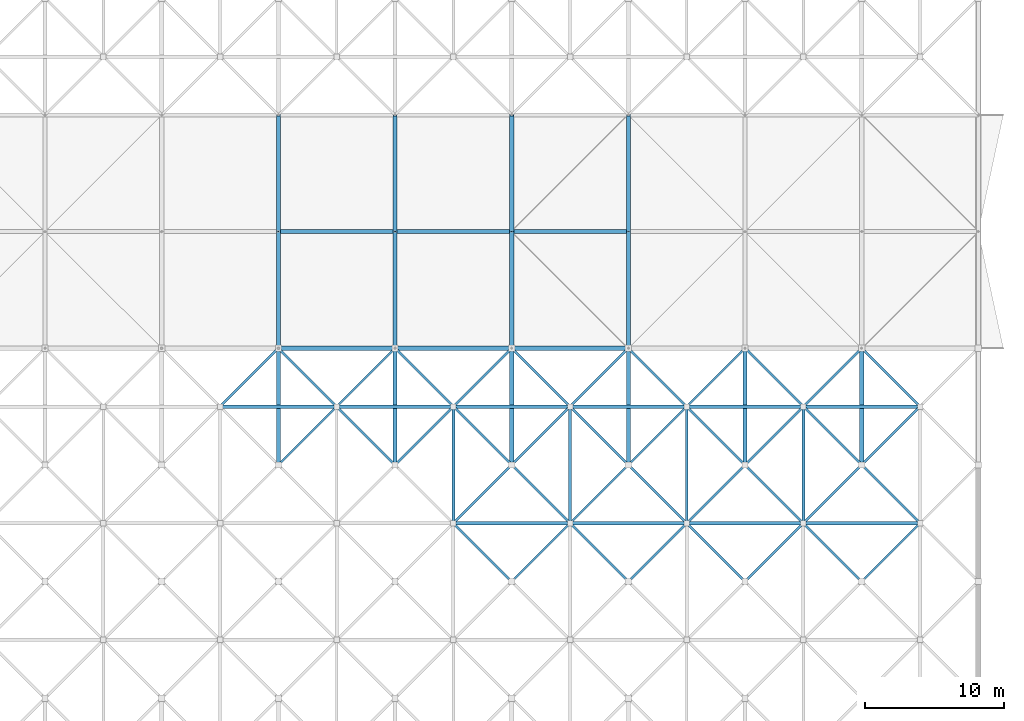
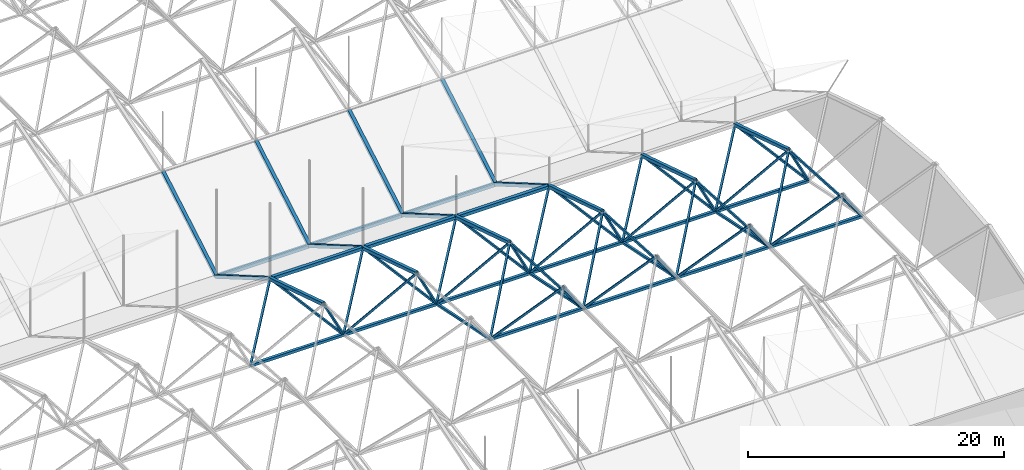
# One storey, part 13 of 111: 73 members.
"""IFC4 building model written with IfcOpenShell, lengths in metres."""

from ifc_helpers import new_model, si_unit, direction, frame, origin, origin_2d, place, context, subcontext, project, spatial, hollow_rectangle, extrude, material, material_profile, profile_set, type_object, element, save


model = new_model("IFC4")

# Units and contexts
model_context = context("Model", 3, precision=1e-05, world=origin(), true_north=direction((0.0, 1.0)))
body_context = subcontext(model_context, "Body", "Model", "MODEL_VIEW")
ifc_project = project(units=[si_unit("LENGTHUNIT", "METRE"), si_unit("AREAUNIT", "SQUARE_METRE"), si_unit("VOLUMEUNIT", "CUBIC_METRE"), si_unit("PLANEANGLEUNIT", "RADIAN"), si_unit("MASSUNIT", "GRAM", prefix="KILO")], contexts=[model_context])

# Site, building, storey
site_placement = place(None, origin())
site = spatial("IfcSite", under=ifc_project, at=site_placement, CompositionType="ELEMENT")
building_placement = place(site_placement, origin())
building = spatial("IfcBuilding", under=site, at=building_placement, Name="Rain Tree Exposition and Congress Centre", CompositionType="ELEMENT")
storey_placement = place(building_placement, frame((0.0, 0.0, 19.5)))
storey = spatial("IfcBuildingStorey", under=building, at=storey_placement, Name="RF", CompositionType="ELEMENT", Elevation=19.5)

# Members
ifc_material_1 = material(Name="Steel S355J2H", Category="steel")
ifc_material_profile_1 = material_profile(ifc_material_1, hollow_rectangle(XDim=0.175048828125, YDim=0.175048828125, WallThickness=0.006103515625, at=origin_2d()), Name="RHS 175x175x6")
ifc_profile_set_1 = profile_set([ifc_material_profile_1], Name="Steel S355J2H")
member_type_1 = type_object("IfcMemberType", Name="Steel brace member RHS 175x175x6", PredefinedType="BRACE", material=ifc_profile_set_1)
member_1_placement = place(storey_placement, frame((205.800048828125, 130.199951171875, 2.68896484375), z_axis=(0.494916318018, -0.494916318018, 0.714223827885), x_axis=(0.707106781187, 0.707106781187, 0.0)))
element("IfcMember", 1, at=member_1_placement, inside=storey, type_object=member_type_1, Name="Diagonal 569", PredefinedType="BRACE", context=body_context, shape_type="SweptSolid", body=[
    extrude(hollow_rectangle(XDim=0.175048828125, YDim=0.175048828125, WallThickness=0.006103515625, at=origin_2d()), origin(), (0.0, 0.0, 1.0), 8.486083984375),
])
member_2_placement = place(storey_placement, frame((205.800048828125, 130.199951171875, 2.68896484375), z_axis=(0.531497919506, 0.531497919506, 0.65956040142), x_axis=(-0.707106781187, 0.707106781187, 0.0)))
element("IfcMember", 2, at=member_2_placement, inside=storey, type_object=member_type_1, Name="Diagonal 571", PredefinedType="BRACE", context=body_context, shape_type="SweptSolid", body=[
    extrude(hollow_rectangle(XDim=0.175048828125, YDim=0.175048828125, WallThickness=0.006103515625, at=origin_2d()), origin(), (0.0, 0.0, 1.0), 7.902099609375),
])
for number, where, z_axis, x_axis, name in (
    (3, (214.199951171875, 130.199951171875, 2.68896484375), (-0.494916318018, -0.494916318018, 0.714223827885), (0.707106781187, -0.707106781187, 0.0), "Diagonal 574"),
    (4, (214.199951171875, 130.199951171875, 2.68896484375), (0.494916318018, -0.494916318018, 0.714223827885), (0.707106781187, 0.707106781187, 0.0), "Diagonal 575"),
):
    element("IfcMember", number, at=place(storey_placement, frame(where, z_axis=z_axis, x_axis=x_axis)), inside=storey, type_object=member_type_1, Name=name, PredefinedType="BRACE", context=body_context, shape_type="SweptSolid", body=[
        extrude(hollow_rectangle(XDim=0.175048828125, YDim=0.175048828125, WallThickness=0.006103515625, at=origin_2d()), origin(), (0.0, 0.0, 1.0), 8.486083984375),
    ])
for number, where, z_axis, x_axis, name in (
    (5, (214.199951171875, 130.199951171875, 2.68896484375), (-0.531497919506, 0.531497919506, 0.65956040142), (-0.707106781187, -0.707106781187, 0.0), "Diagonal 576"),
    (6, (214.199951171875, 130.199951171875, 2.68896484375), (0.531497919506, 0.531497919506, 0.65956040142), (-0.707106781187, 0.707106781187, 0.0), "Diagonal 577"),
):
    element("IfcMember", number, at=place(storey_placement, frame(where, z_axis=z_axis, x_axis=x_axis)), inside=storey, type_object=member_type_1, Name=name, PredefinedType="BRACE", context=body_context, shape_type="SweptSolid", body=[
        extrude(hollow_rectangle(XDim=0.175048828125, YDim=0.175048828125, WallThickness=0.006103515625, at=origin_2d()), origin(), (0.0, 0.0, 1.0), 7.902099609375),
    ])
member_3_placement = place(storey_placement, frame((222.60009765625, 130.199951171875, 2.68896484375), z_axis=(-0.494938039954, -0.494909271177, 0.714213658445), x_axis=(0.70708622964, -0.707127332136, 0.0)))
element("IfcMember", 7, at=member_3_placement, inside=storey, type_object=member_type_1, Name="Diagonal 580", PredefinedType="BRACE", context=body_context, shape_type="SweptSolid", body=[
    extrude(hollow_rectangle(XDim=0.175048828125, YDim=0.175048828125, WallThickness=0.006103515625, at=origin_2d()), origin(), (0.0, 0.0, 1.0), 8.486328125),
])
member_4_placement = place(storey_placement, frame((222.60009765625, 130.199951171875, 2.68896484375), z_axis=(0.494916318018, -0.494916318018, 0.714223827885), x_axis=(0.707106781187, 0.707106781187, 0.0)))
element("IfcMember", 8, at=member_4_placement, inside=storey, type_object=member_type_1, Name="Diagonal 581", PredefinedType="BRACE", context=body_context, shape_type="SweptSolid", body=[
    extrude(hollow_rectangle(XDim=0.175048828125, YDim=0.175048828125, WallThickness=0.006103515625, at=origin_2d()), origin(), (0.0, 0.0, 1.0), 8.486083984375),
])
member_5_placement = place(storey_placement, frame((222.60009765625, 130.199951171875, 2.68896484375), z_axis=(-0.531520086899, 0.531489191753, 0.659549570747), x_axis=(-0.70708622964, -0.707127332136, 0.0)))
element("IfcMember", 9, at=member_5_placement, inside=storey, type_object=member_type_1, Name="Diagonal 582", PredefinedType="BRACE", context=body_context, shape_type="SweptSolid", body=[
    extrude(hollow_rectangle(XDim=0.175048828125, YDim=0.175048828125, WallThickness=0.006103515625, at=origin_2d()), origin(), (0.0, 0.0, 1.0), 7.90234375),
])
member_6_placement = place(storey_placement, frame((222.60009765625, 130.199951171875, 2.68896484375), z_axis=(0.531497919506, 0.531497919506, 0.65956040142), x_axis=(-0.707106781187, 0.707106781187, 0.0)))
element("IfcMember", 10, at=member_6_placement, inside=storey, type_object=member_type_1, Name="Diagonal 583", PredefinedType="BRACE", context=body_context, shape_type="SweptSolid", body=[
    extrude(hollow_rectangle(XDim=0.175048828125, YDim=0.175048828125, WallThickness=0.006103515625, at=origin_2d()), origin(), (0.0, 0.0, 1.0), 7.902099609375),
])
for number, where, z_axis, x_axis, name in (
    (11, (231.0, 130.199951171875, 2.68896484375), (-0.494916318018, -0.494916318018, 0.714223827885), (0.707106781187, -0.707106781187, 0.0), "Diagonal 586"),
    (12, (231.0, 130.199951171875, 2.68896484375), (0.494916318018, -0.494916318018, 0.714223827885), (0.707106781187, 0.707106781187, 0.0), "Diagonal 587"),
):
    element("IfcMember", number, at=place(storey_placement, frame(where, z_axis=z_axis, x_axis=x_axis)), inside=storey, type_object=member_type_1, Name=name, PredefinedType="BRACE", context=body_context, shape_type="SweptSolid", body=[
        extrude(hollow_rectangle(XDim=0.175048828125, YDim=0.175048828125, WallThickness=0.006103515625, at=origin_2d()), origin(), (0.0, 0.0, 1.0), 8.486083984375),
    ])
for number, where, z_axis, x_axis, name in (
    (13, (231.0, 130.199951171875, 2.68896484375), (-0.531497919506, 0.531497919506, 0.65956040142), (-0.707106781187, -0.707106781187, 0.0), "Diagonal 588"),
    (14, (231.0, 130.199951171875, 2.68896484375), (0.531497919506, 0.531497919506, 0.65956040142), (-0.707106781187, 0.707106781187, 0.0), "Diagonal 589"),
):
    element("IfcMember", number, at=place(storey_placement, frame(where, z_axis=z_axis, x_axis=x_axis)), inside=storey, type_object=member_type_1, Name=name, PredefinedType="BRACE", context=body_context, shape_type="SweptSolid", body=[
        extrude(hollow_rectangle(XDim=0.175048828125, YDim=0.175048828125, WallThickness=0.006103515625, at=origin_2d()), origin(), (0.0, 0.0, 1.0), 7.902099609375),
    ])
member_7_placement = place(storey_placement, frame((239.39990234375, 130.199951171875, 2.68896484375), z_axis=(-0.494916318018, -0.494916318018, 0.714223827885), x_axis=(0.707106781187, -0.707106781187, 0.0)))
element("IfcMember", 15, at=member_7_placement, inside=storey, type_object=member_type_1, Name="Diagonal 592", PredefinedType="BRACE", context=body_context, shape_type="SweptSolid", body=[
    extrude(hollow_rectangle(XDim=0.175048828125, YDim=0.175048828125, WallThickness=0.006103515625, at=origin_2d()), origin(), (0.0, 0.0, 1.0), 8.486083984375),
])
member_8_placement = place(storey_placement, frame((239.39990234375, 130.199951171875, 2.68896484375), z_axis=(-0.531497919506, 0.531497919506, 0.65956040142), x_axis=(-0.707106781187, -0.707106781187, 0.0)))
element("IfcMember", 16, at=member_8_placement, inside=storey, type_object=member_type_1, Name="Diagonal 594", PredefinedType="BRACE", context=body_context, shape_type="SweptSolid", body=[
    extrude(hollow_rectangle(XDim=0.175048828125, YDim=0.175048828125, WallThickness=0.006103515625, at=origin_2d()), origin(), (0.0, 0.0, 1.0), 7.902099609375),
])
member_9_placement = place(storey_placement, frame((189.0, 138.60009765625, 0.965087890625), z_axis=(0.573737145755, 0.573737145755, 0.584509516742), x_axis=(-0.707106781187, 0.707106781187, 0.0)))
element("IfcMember", 17, at=member_9_placement, inside=storey, type_object=member_type_1, Name="Diagonal 630", PredefinedType="BRACE", context=body_context, shape_type="SweptSolid", body=[
    extrude(hollow_rectangle(XDim=0.175048828125, YDim=0.175048828125, WallThickness=0.006103515625, at=origin_2d()), origin(), (0.0, 0.0, 1.0), 7.3203125),
])
member_10_placement = place(storey_placement, frame((197.39990234375, 138.60009765625, 0.965087890625), z_axis=(-0.459935103496, -0.459961839245, 0.75953591555), x_axis=(0.707127332136, -0.70708622964, 0.0)))
element("IfcMember", 18, at=member_10_placement, inside=storey, type_object=member_type_1, Name="Diagonal 633", PredefinedType="BRACE", context=body_context, shape_type="SweptSolid", body=[
    extrude(hollow_rectangle(XDim=0.175048828125, YDim=0.175048828125, WallThickness=0.006103515625, at=origin_2d()), origin(), (0.0, 0.0, 1.0), 9.131591796875),
])
member_11_placement = place(storey_placement, frame((197.39990234375, 138.60009765625, 0.965087890625), z_axis=(0.459956183168, -0.459956183168, 0.759526575658), x_axis=(0.707106781187, 0.707106781187, 0.0)))
element("IfcMember", 19, at=member_11_placement, inside=storey, type_object=member_type_1, Name="Diagonal 634", PredefinedType="BRACE", context=body_context, shape_type="SweptSolid", body=[
    extrude(hollow_rectangle(XDim=0.175048828125, YDim=0.175048828125, WallThickness=0.006103515625, at=origin_2d()), origin(), (0.0, 0.0, 1.0), 9.1318359375),
])
member_12_placement = place(storey_placement, frame((197.39990234375, 138.60009765625, 0.965087890625), z_axis=(-0.573737145755, 0.573737145755, 0.584509516742), x_axis=(-0.707106781187, -0.707106781187, 0.0)))
element("IfcMember", 20, at=member_12_placement, inside=storey, type_object=member_type_1, Name="Diagonal 635", PredefinedType="BRACE", context=body_context, shape_type="SweptSolid", body=[
    extrude(hollow_rectangle(XDim=0.175048828125, YDim=0.175048828125, WallThickness=0.006103515625, at=origin_2d()), origin(), (0.0, 0.0, 1.0), 7.3203125),
])
member_13_placement = place(storey_placement, frame((197.39990234375, 138.60009765625, 0.965087890625), z_axis=(0.573759517816, 0.573726167461, 0.584498332321), x_axis=(-0.70708622964, 0.707127332136, 0.0)))
element("IfcMember", 21, at=member_13_placement, inside=storey, type_object=member_type_1, Name="Diagonal 636", PredefinedType="BRACE", context=body_context, shape_type="SweptSolid", body=[
    extrude(hollow_rectangle(XDim=0.175048828125, YDim=0.175048828125, WallThickness=0.006103515625, at=origin_2d()), origin(), (0.0, 0.0, 1.0), 7.320556640625),
])
for number, where, z_axis, x_axis, name in (
    (22, (205.800048828125, 138.60009765625, 0.965087890625), (-0.459935103496, -0.459961839245, 0.75953591555), (0.707127332136, -0.70708622964, 0.0), "Diagonal 639"),
    (23, (205.800048828125, 138.60009765625, 0.965087890625), (0.459935103496, -0.459961839245, 0.75953591555), (0.707127332136, 0.70708622964, 0.0), "Diagonal 640"),
):
    element("IfcMember", number, at=place(storey_placement, frame(where, z_axis=z_axis, x_axis=x_axis)), inside=storey, type_object=member_type_1, Name=name, PredefinedType="BRACE", context=body_context, shape_type="SweptSolid", body=[
        extrude(hollow_rectangle(XDim=0.175048828125, YDim=0.175048828125, WallThickness=0.006103515625, at=origin_2d()), origin(), (0.0, 0.0, 1.0), 9.131591796875),
    ])
for number, where, z_axis, x_axis, name in (
    (24, (205.800048828125, 138.60009765625, 0.965087890625), (-0.573737145755, 0.573737145755, 0.584509516742), (-0.707106781187, -0.707106781187, 0.0), "Diagonal 641"),
    (25, (205.800048828125, 138.60009765625, 0.965087890625), (0.573737145755, 0.573737145755, 0.584509516742), (-0.707106781187, 0.707106781187, 0.0), "Diagonal 642"),
):
    element("IfcMember", number, at=place(storey_placement, frame(where, z_axis=z_axis, x_axis=x_axis)), inside=storey, type_object=member_type_1, Name=name, PredefinedType="BRACE", context=body_context, shape_type="SweptSolid", body=[
        extrude(hollow_rectangle(XDim=0.175048828125, YDim=0.175048828125, WallThickness=0.006103515625, at=origin_2d()), origin(), (0.0, 0.0, 1.0), 7.3203125),
    ])
for number, where, z_axis, x_axis, name in (
    (26, (214.199951171875, 138.60009765625, 0.965087890625), (-0.459935103496, -0.459961839245, 0.75953591555), (0.707127332136, -0.70708622964, 0.0), "Diagonal 645"),
    (27, (214.199951171875, 138.60009765625, 0.965087890625), (0.459935103496, -0.459961839245, 0.75953591555), (0.707127332136, 0.70708622964, 0.0), "Diagonal 646"),
):
    element("IfcMember", number, at=place(storey_placement, frame(where, z_axis=z_axis, x_axis=x_axis)), inside=storey, type_object=member_type_1, Name=name, PredefinedType="BRACE", context=body_context, shape_type="SweptSolid", body=[
        extrude(hollow_rectangle(XDim=0.175048828125, YDim=0.175048828125, WallThickness=0.006103515625, at=origin_2d()), origin(), (0.0, 0.0, 1.0), 9.131591796875),
    ])
for number, where, z_axis, x_axis, name in (
    (28, (214.199951171875, 138.60009765625, 0.965087890625), (-0.573737145755, 0.573737145755, 0.584509516742), (-0.707106781187, -0.707106781187, 0.0), "Diagonal 647"),
    (29, (214.199951171875, 138.60009765625, 0.965087890625), (0.573737145755, 0.573737145755, 0.584509516742), (-0.707106781187, 0.707106781187, 0.0), "Diagonal 648"),
):
    element("IfcMember", number, at=place(storey_placement, frame(where, z_axis=z_axis, x_axis=x_axis)), inside=storey, type_object=member_type_1, Name=name, PredefinedType="BRACE", context=body_context, shape_type="SweptSolid", body=[
        extrude(hollow_rectangle(XDim=0.175048828125, YDim=0.175048828125, WallThickness=0.006103515625, at=origin_2d()), origin(), (0.0, 0.0, 1.0), 7.3203125),
    ])
member_14_placement = place(storey_placement, frame((222.60009765625, 138.60009765625, 0.965087890625), z_axis=(-0.459956183168, -0.459956183168, 0.759526575658), x_axis=(0.707106781187, -0.707106781187, 0.0)))
element("IfcMember", 30, at=member_14_placement, inside=storey, type_object=member_type_1, Name="Diagonal 651", PredefinedType="BRACE", context=body_context, shape_type="SweptSolid", body=[
    extrude(hollow_rectangle(XDim=0.175048828125, YDim=0.175048828125, WallThickness=0.006103515625, at=origin_2d()), origin(), (0.0, 0.0, 1.0), 9.1318359375),
])
member_15_placement = place(storey_placement, frame((222.60009765625, 138.60009765625, 0.965087890625), z_axis=(0.459935103496, -0.459961839245, 0.75953591555), x_axis=(0.707127332136, 0.70708622964, 0.0)))
element("IfcMember", 31, at=member_15_placement, inside=storey, type_object=member_type_1, Name="Diagonal 652", PredefinedType="BRACE", context=body_context, shape_type="SweptSolid", body=[
    extrude(hollow_rectangle(XDim=0.175048828125, YDim=0.175048828125, WallThickness=0.006103515625, at=origin_2d()), origin(), (0.0, 0.0, 1.0), 9.131591796875),
])
member_16_placement = place(storey_placement, frame((222.60009765625, 138.60009765625, 0.965087890625), z_axis=(-0.573759517816, 0.573726167461, 0.584498332321), x_axis=(-0.70708622964, -0.707127332136, 0.0)))
element("IfcMember", 32, at=member_16_placement, inside=storey, type_object=member_type_1, Name="Diagonal 653", PredefinedType="BRACE", context=body_context, shape_type="SweptSolid", body=[
    extrude(hollow_rectangle(XDim=0.175048828125, YDim=0.175048828125, WallThickness=0.006103515625, at=origin_2d()), origin(), (0.0, 0.0, 1.0), 7.320556640625),
])
member_17_placement = place(storey_placement, frame((222.60009765625, 138.60009765625, 0.965087890625), z_axis=(0.573737145755, 0.573737145755, 0.584509516742), x_axis=(-0.707106781187, 0.707106781187, 0.0)))
element("IfcMember", 33, at=member_17_placement, inside=storey, type_object=member_type_1, Name="Diagonal 654", PredefinedType="BRACE", context=body_context, shape_type="SweptSolid", body=[
    extrude(hollow_rectangle(XDim=0.175048828125, YDim=0.175048828125, WallThickness=0.006103515625, at=origin_2d()), origin(), (0.0, 0.0, 1.0), 7.3203125),
])
for number, where, z_axis, x_axis, name in (
    (34, (231.0, 138.60009765625, 0.965087890625), (-0.459935103496, -0.459961839245, 0.75953591555), (0.707127332136, -0.70708622964, 0.0), "Diagonal 657"),
    (35, (231.0, 138.60009765625, 0.965087890625), (0.459935103496, -0.459961839245, 0.75953591555), (0.707127332136, 0.70708622964, 0.0), "Diagonal 658"),
):
    element("IfcMember", number, at=place(storey_placement, frame(where, z_axis=z_axis, x_axis=x_axis)), inside=storey, type_object=member_type_1, Name=name, PredefinedType="BRACE", context=body_context, shape_type="SweptSolid", body=[
        extrude(hollow_rectangle(XDim=0.175048828125, YDim=0.175048828125, WallThickness=0.006103515625, at=origin_2d()), origin(), (0.0, 0.0, 1.0), 9.131591796875),
    ])
for number, where, z_axis, x_axis, name in (
    (36, (231.0, 138.60009765625, 0.965087890625), (-0.573737145755, 0.573737145755, 0.584509516742), (-0.707106781187, -0.707106781187, 0.0), "Diagonal 659"),
    (37, (231.0, 138.60009765625, 0.965087890625), (0.573737145755, 0.573737145755, 0.584509516742), (-0.707106781187, 0.707106781187, 0.0), "Diagonal 660"),
):
    element("IfcMember", number, at=place(storey_placement, frame(where, z_axis=z_axis, x_axis=x_axis)), inside=storey, type_object=member_type_1, Name=name, PredefinedType="BRACE", context=body_context, shape_type="SweptSolid", body=[
        extrude(hollow_rectangle(XDim=0.175048828125, YDim=0.175048828125, WallThickness=0.006103515625, at=origin_2d()), origin(), (0.0, 0.0, 1.0), 7.3203125),
    ])
member_18_placement = place(storey_placement, frame((239.39990234375, 138.60009765625, 0.965087890625), z_axis=(-0.459935103496, -0.459961839245, 0.75953591555), x_axis=(0.707127332136, -0.70708622964, 0.0)))
element("IfcMember", 38, at=member_18_placement, inside=storey, type_object=member_type_1, Name="Diagonal 663", PredefinedType="BRACE", context=body_context, shape_type="SweptSolid", body=[
    extrude(hollow_rectangle(XDim=0.175048828125, YDim=0.175048828125, WallThickness=0.006103515625, at=origin_2d()), origin(), (0.0, 0.0, 1.0), 9.131591796875),
])
member_19_placement = place(storey_placement, frame((239.39990234375, 138.60009765625, 0.965087890625), z_axis=(-0.573737145755, 0.573737145755, 0.584509516742), x_axis=(-0.707106781187, -0.707106781187, 0.0)))
element("IfcMember", 39, at=member_19_placement, inside=storey, type_object=member_type_1, Name="Diagonal 665", PredefinedType="BRACE", context=body_context, shape_type="SweptSolid", body=[
    extrude(hollow_rectangle(XDim=0.175048828125, YDim=0.175048828125, WallThickness=0.006103515625, at=origin_2d()), origin(), (0.0, 0.0, 1.0), 7.3203125),
])
ifc_material_2 = material(Name="Steel S355J2H", Category="steel")
ifc_material_profile_2 = material_profile(ifc_material_2, hollow_rectangle(XDim=0.199951171875, YDim=0.199951171875, WallThickness=0.009033203125, at=origin_2d()), Name="RHS 200x200x9")
ifc_profile_set_2 = profile_set([ifc_material_profile_2], Name="Steel S355J2H")
member_type_2 = type_object("IfcMemberType", Name="Steel chord member RHS 200x200x9", PredefinedType="CHORD", material=ifc_profile_set_2)
for number, where, z_axis, x_axis, name in (
    (40, (205.800048828125, 130.199951171875, 2.68896484375), (0.0, 0.979585021781, -0.201030308914), (-1.0, 0.0, 0.0), "Bottom chord 573"),
    (41, (214.199951171875, 130.199951171875, 2.68896484375), (0.0, 0.979585021781, -0.201030308914), (-1.0, 0.0, 0.0), "Bottom chord 579"),
    (42, (222.60009765625, 130.199951171875, 2.68896484375), (0.0, 0.979585021781, -0.201030308914), (-1.0, 0.0, 0.0), "Bottom chord 585"),
    (43, (231.0, 130.199951171875, 2.68896484375), (0.0, 0.979585021781, -0.201030308914), (-1.0, 0.0, 0.0), "Bottom chord 591"),
):
    element("IfcMember", number, at=place(storey_placement, frame(where, z_axis=z_axis, x_axis=x_axis)), inside=storey, type_object=member_type_2, Name=name, PredefinedType="CHORD", context=body_context, shape_type="SweptSolid", body=[
        extrude(hollow_rectangle(XDim=0.199951171875, YDim=0.199951171875, WallThickness=0.009033203125, at=origin_2d()), origin(), (0.0, 0.0, 1.0), 8.5751953125),
    ])
ifc_material_3 = material(Name="Steel S355J2H", Category="steel")
ifc_material_profile_3 = material_profile(ifc_material_3, hollow_rectangle(XDim=0.25, YDim=0.25, WallThickness=0.006103515625, at=origin_2d()), Name="RHS 250x250x6")
ifc_profile_set_3 = profile_set([ifc_material_profile_3], Name="Steel S355J2H")
member_type_3 = type_object("IfcMemberType", Name="Steel chord member RHS 250x250x6", PredefinedType="CHORD", material=ifc_profile_set_3)
member_20_placement = place(storey_placement, frame((205.800048828125, 130.199951171875, 2.68896484375), z_axis=(1.0, 0.0, 0.0), x_axis=(0.0, 1.0, 0.0)))
element("IfcMember", 44, at=member_20_placement, inside=storey, type_object=member_type_3, Name="Bottom chord 572", PredefinedType="CHORD", context=body_context, shape_type="SweptSolid", body=[
    extrude(hollow_rectangle(XDim=0.25, YDim=0.25, WallThickness=0.006103515625, at=origin_2d()), origin(), (0.0, 0.0, 1.0), 8.39990234375),
])
member_21_placement = place(storey_placement, frame((214.199951171875, 130.199951171875, 2.68896484375), z_axis=(1.0, 0.0, 0.0), x_axis=(0.0, 1.0, 0.0)))
element("IfcMember", 45, at=member_21_placement, inside=storey, type_object=member_type_3, Name="Bottom chord 578", PredefinedType="CHORD", context=body_context, shape_type="SweptSolid", body=[
    extrude(hollow_rectangle(XDim=0.25, YDim=0.25, WallThickness=0.006103515625, at=origin_2d()), origin(), (0.0, 0.0, 1.0), 8.400146484375),
])
for number, where, z_axis, x_axis, name in (
    (46, (222.60009765625, 130.199951171875, 2.68896484375), (1.0, 0.0, 0.0), (0.0, 1.0, 0.0), "Bottom chord 584"),
    (47, (231.0, 130.199951171875, 2.68896484375), (1.0, 0.0, 0.0), (0.0, 1.0, 0.0), "Bottom chord 590"),
    (48, (189.0, 138.60009765625, 0.965087890625), (1.0, 0.0, 0.0), (0.0, 1.0, 0.0), "Bottom chord 631"),
):
    element("IfcMember", number, at=place(storey_placement, frame(where, z_axis=z_axis, x_axis=x_axis)), inside=storey, type_object=member_type_3, Name=name, PredefinedType="CHORD", context=body_context, shape_type="SweptSolid", body=[
        extrude(hollow_rectangle(XDim=0.25, YDim=0.25, WallThickness=0.006103515625, at=origin_2d()), origin(), (0.0, 0.0, 1.0), 8.39990234375),
    ])
member_22_placement = place(storey_placement, frame((197.39990234375, 138.60009765625, 0.965087890625), z_axis=(1.0, 0.0, 0.0), x_axis=(0.0, 1.0, 0.0)))
element("IfcMember", 49, at=member_22_placement, inside=storey, type_object=member_type_3, Name="Bottom chord 637", PredefinedType="CHORD", context=body_context, shape_type="SweptSolid", body=[
    extrude(hollow_rectangle(XDim=0.25, YDim=0.25, WallThickness=0.006103515625, at=origin_2d()), origin(), (0.0, 0.0, 1.0), 8.400146484375),
])
member_23_placement = place(storey_placement, frame((205.800048828125, 138.60009765625, 0.965087890625), z_axis=(1.0, 0.0, 0.0), x_axis=(0.0, 1.0, 0.0)))
element("IfcMember", 50, at=member_23_placement, inside=storey, type_object=member_type_3, Name="Bottom chord 643", PredefinedType="CHORD", context=body_context, shape_type="SweptSolid", body=[
    extrude(hollow_rectangle(XDim=0.25, YDim=0.25, WallThickness=0.006103515625, at=origin_2d()), origin(), (0.0, 0.0, 1.0), 8.39990234375),
])
member_24_placement = place(storey_placement, frame((214.199951171875, 138.60009765625, 0.965087890625), z_axis=(1.0, 0.0, 0.0), x_axis=(0.0, 1.0, 0.0)))
element("IfcMember", 51, at=member_24_placement, inside=storey, type_object=member_type_3, Name="Bottom chord 649", PredefinedType="CHORD", context=body_context, shape_type="SweptSolid", body=[
    extrude(hollow_rectangle(XDim=0.25, YDim=0.25, WallThickness=0.006103515625, at=origin_2d()), origin(), (0.0, 0.0, 1.0), 8.400146484375),
])
for number, where, z_axis, x_axis, name in (
    (52, (222.60009765625, 138.60009765625, 0.965087890625), (1.0, 0.0, 0.0), (0.0, 1.0, 0.0), "Bottom chord 655"),
    (53, (231.0, 138.60009765625, 0.965087890625), (1.0, 0.0, 0.0), (0.0, 1.0, 0.0), "Bottom chord 661"),
):
    element("IfcMember", number, at=place(storey_placement, frame(where, z_axis=z_axis, x_axis=x_axis)), inside=storey, type_object=member_type_3, Name=name, PredefinedType="CHORD", context=body_context, shape_type="SweptSolid", body=[
        extrude(hollow_rectangle(XDim=0.25, YDim=0.25, WallThickness=0.006103515625, at=origin_2d()), origin(), (0.0, 0.0, 1.0), 8.39990234375),
    ])
ifc_material_4 = material(Name="Steel S355J2H", Category="steel")
ifc_material_profile_4 = material_profile(ifc_material_4, hollow_rectangle(XDim=0.300048828125, YDim=0.300048828125, WallThickness=0.009033203125, at=origin_2d()), Name="RHS 300x300x9")
ifc_profile_set_4 = profile_set([ifc_material_profile_4], Name="Steel S355J2H")
member_type_4 = type_object("IfcMemberType", Name="Steel chord member RHS 300x300x9", PredefinedType="CHORD", material=ifc_profile_set_4)
member_25_placement = place(storey_placement, frame((193.199951171875, 142.800048828125, 5.243896484375), z_axis=(1.0, 0.0, 0.0), x_axis=(0.0, 1.0, 0.0)))
element("IfcMember", 54, at=member_25_placement, inside=storey, type_object=member_type_4, Name="Top chord 67", PredefinedType="CHORD", context=body_context, shape_type="SweptSolid", body=[
    extrude(hollow_rectangle(XDim=0.300048828125, YDim=0.300048828125, WallThickness=0.009033203125, at=origin_2d()), origin(), (0.0, 0.0, 1.0), 8.400146484375),
])
for number, where, z_axis, x_axis, name in (
    (55, (201.60009765625, 142.800048828125, 5.243896484375), (1.0, 0.0, 0.0), (0.0, 1.0, 0.0), "Top chord 68"),
    (56, (210.0, 142.800048828125, 5.243896484375), (1.0, 0.0, 0.0), (0.0, 1.0, 0.0), "Top chord 69"),
):
    element("IfcMember", number, at=place(storey_placement, frame(where, z_axis=z_axis, x_axis=x_axis)), inside=storey, type_object=member_type_4, Name=name, PredefinedType="CHORD", context=body_context, shape_type="SweptSolid", body=[
        extrude(hollow_rectangle(XDim=0.300048828125, YDim=0.300048828125, WallThickness=0.009033203125, at=origin_2d()), origin(), (0.0, 0.0, 1.0), 8.39990234375),
    ])
member_26_placement = place(storey_placement, frame((193.199951171875, 151.199951171875, 0.35009765625), z_axis=(1.0, 0.0, 0.0), x_axis=(0.0, 1.0, 0.0)))
element("IfcMember", 57, at=member_26_placement, inside=storey, type_object=member_type_4, Name="Top chord 79", PredefinedType="CHORD", context=body_context, shape_type="SweptSolid", body=[
    extrude(hollow_rectangle(XDim=0.300048828125, YDim=0.300048828125, WallThickness=0.009033203125, at=origin_2d()), origin(), (0.0, 0.0, 1.0), 8.400146484375),
])
for number, where, z_axis, x_axis, name in (
    (58, (201.60009765625, 151.199951171875, 0.35009765625), (1.0, 0.0, 0.0), (0.0, 1.0, 0.0), "Top chord 80"),
    (59, (210.0, 151.199951171875, 0.35009765625), (1.0, 0.0, 0.0), (0.0, 1.0, 0.0), "Top chord 81"),
):
    element("IfcMember", number, at=place(storey_placement, frame(where, z_axis=z_axis, x_axis=x_axis)), inside=storey, type_object=member_type_4, Name=name, PredefinedType="CHORD", context=body_context, shape_type="SweptSolid", body=[
        extrude(hollow_rectangle(XDim=0.300048828125, YDim=0.300048828125, WallThickness=0.009033203125, at=origin_2d()), origin(), (0.0, 0.0, 1.0), 8.39990234375),
    ])
member_27_placement = place(storey_placement, frame((193.199951171875, 134.39990234375, 7.90087890625), z_axis=(0.0, 0.953442263101, -0.301575613955), x_axis=(-1.0, 0.0, 0.0)))
element("IfcMember", 60, at=member_27_placement, inside=storey, type_object=member_type_4, Name="Top chord 233", PredefinedType="CHORD", context=body_context, shape_type="SweptSolid", body=[
    extrude(hollow_rectangle(XDim=0.300048828125, YDim=0.300048828125, WallThickness=0.009033203125, at=origin_2d()), origin(), (0.0, 0.0, 1.0), 8.810302734375),
])
member_28_placement = place(storey_placement, frame((193.199951171875, 142.800048828125, 5.243896484375), z_axis=(0.0, 0.864053849191, -0.503399389846), x_axis=(-1.0, 0.0, 0.0)))
element("IfcMember", 61, at=member_28_placement, inside=storey, type_object=member_type_4, Name="Top chord 234", PredefinedType="CHORD", context=body_context, shape_type="SweptSolid", body=[
    extrude(hollow_rectangle(XDim=0.300048828125, YDim=0.300048828125, WallThickness=0.009033203125, at=origin_2d()), origin(), (0.0, 0.0, 1.0), 9.721435546875),
])
member_29_placement = place(storey_placement, frame((193.199951171875, 151.199951171875, 0.35009765625), z_axis=(0.0, 0.864060213011, 0.503388466585), x_axis=(-1.0, 0.0, 0.0)))
element("IfcMember", 62, at=member_29_placement, inside=storey, type_object=member_type_4, Name="Top chord 235", PredefinedType="CHORD", context=body_context, shape_type="SweptSolid", body=[
    extrude(hollow_rectangle(XDim=0.300048828125, YDim=0.300048828125, WallThickness=0.009033203125, at=origin_2d()), origin(), (0.0, 0.0, 1.0), 9.7216796875),
])
member_30_placement = place(storey_placement, frame((201.60009765625, 134.39990234375, 7.90087890625), z_axis=(0.0, 0.953442263101, -0.301575613955), x_axis=(-1.0, 0.0, 0.0)))
element("IfcMember", 63, at=member_30_placement, inside=storey, type_object=member_type_4, Name="Top chord 245", PredefinedType="CHORD", context=body_context, shape_type="SweptSolid", body=[
    extrude(hollow_rectangle(XDim=0.300048828125, YDim=0.300048828125, WallThickness=0.009033203125, at=origin_2d()), origin(), (0.0, 0.0, 1.0), 8.810302734375),
])
member_31_placement = place(storey_placement, frame((201.60009765625, 142.800048828125, 5.243896484375), z_axis=(0.0, 0.864053849191, -0.503399389846), x_axis=(-1.0, 0.0, 0.0)))
element("IfcMember", 64, at=member_31_placement, inside=storey, type_object=member_type_4, Name="Top chord 246", PredefinedType="CHORD", context=body_context, shape_type="SweptSolid", body=[
    extrude(hollow_rectangle(XDim=0.300048828125, YDim=0.300048828125, WallThickness=0.009033203125, at=origin_2d()), origin(), (0.0, 0.0, 1.0), 9.721435546875),
])
member_32_placement = place(storey_placement, frame((201.60009765625, 151.199951171875, 0.35009765625), z_axis=(0.0, 0.864060213011, 0.503388466585), x_axis=(-1.0, 0.0, 0.0)))
element("IfcMember", 65, at=member_32_placement, inside=storey, type_object=member_type_4, Name="Top chord 247", PredefinedType="CHORD", context=body_context, shape_type="SweptSolid", body=[
    extrude(hollow_rectangle(XDim=0.300048828125, YDim=0.300048828125, WallThickness=0.009033203125, at=origin_2d()), origin(), (0.0, 0.0, 1.0), 9.7216796875),
])
member_33_placement = place(storey_placement, frame((210.0, 134.39990234375, 7.90087890625), z_axis=(0.0, 0.953442263101, -0.301575613955), x_axis=(-1.0, 0.0, 0.0)))
element("IfcMember", 66, at=member_33_placement, inside=storey, type_object=member_type_4, Name="Top chord 257", PredefinedType="CHORD", context=body_context, shape_type="SweptSolid", body=[
    extrude(hollow_rectangle(XDim=0.300048828125, YDim=0.300048828125, WallThickness=0.009033203125, at=origin_2d()), origin(), (0.0, 0.0, 1.0), 8.810302734375),
])
member_34_placement = place(storey_placement, frame((210.0, 142.800048828125, 5.243896484375), z_axis=(0.0, 0.864053849191, -0.503399389846), x_axis=(-1.0, 0.0, 0.0)))
element("IfcMember", 67, at=member_34_placement, inside=storey, type_object=member_type_4, Name="Top chord 258", PredefinedType="CHORD", context=body_context, shape_type="SweptSolid", body=[
    extrude(hollow_rectangle(XDim=0.300048828125, YDim=0.300048828125, WallThickness=0.009033203125, at=origin_2d()), origin(), (0.0, 0.0, 1.0), 9.721435546875),
])
member_35_placement = place(storey_placement, frame((210.0, 151.199951171875, 0.35009765625), z_axis=(0.0, 0.864060213011, 0.503388466585), x_axis=(-1.0, 0.0, 0.0)))
element("IfcMember", 68, at=member_35_placement, inside=storey, type_object=member_type_4, Name="Top chord 259", PredefinedType="CHORD", context=body_context, shape_type="SweptSolid", body=[
    extrude(hollow_rectangle(XDim=0.300048828125, YDim=0.300048828125, WallThickness=0.009033203125, at=origin_2d()), origin(), (0.0, 0.0, 1.0), 9.7216796875),
])
member_36_placement = place(storey_placement, frame((218.39990234375, 134.39990234375, 7.90087890625), z_axis=(0.0, 0.953442263101, -0.301575613955), x_axis=(-1.0, 0.0, 0.0)))
element("IfcMember", 69, at=member_36_placement, inside=storey, type_object=member_type_4, Name="Top chord 269", PredefinedType="CHORD", context=body_context, shape_type="SweptSolid", body=[
    extrude(hollow_rectangle(XDim=0.300048828125, YDim=0.300048828125, WallThickness=0.009033203125, at=origin_2d()), origin(), (0.0, 0.0, 1.0), 8.810302734375),
])
member_37_placement = place(storey_placement, frame((218.39990234375, 142.800048828125, 5.243896484375), z_axis=(0.0, 0.864053849191, -0.503399389846), x_axis=(-1.0, 0.0, 0.0)))
element("IfcMember", 70, at=member_37_placement, inside=storey, type_object=member_type_4, Name="Top chord 270", PredefinedType="CHORD", context=body_context, shape_type="SweptSolid", body=[
    extrude(hollow_rectangle(XDim=0.300048828125, YDim=0.300048828125, WallThickness=0.009033203125, at=origin_2d()), origin(), (0.0, 0.0, 1.0), 9.721435546875),
])
member_38_placement = place(storey_placement, frame((218.39990234375, 151.199951171875, 0.35009765625), z_axis=(0.0, 0.864060213011, 0.503388466585), x_axis=(-1.0, 0.0, 0.0)))
element("IfcMember", 71, at=member_38_placement, inside=storey, type_object=member_type_4, Name="Top chord 271", PredefinedType="CHORD", context=body_context, shape_type="SweptSolid", body=[
    extrude(hollow_rectangle(XDim=0.300048828125, YDim=0.300048828125, WallThickness=0.009033203125, at=origin_2d()), origin(), (0.0, 0.0, 1.0), 9.7216796875),
])
for number, where, z_axis, x_axis, name in (
    (72, (226.800048828125, 134.39990234375, 7.90087890625), (0.0, 0.953442263101, -0.301575613955), (-1.0, 0.0, 0.0), "Top chord 281"),
    (73, (235.199951171875, 134.39990234375, 7.90087890625), (0.0, 0.953442263101, -0.301575613955), (-1.0, 0.0, 0.0), "Top chord 293"),
):
    element("IfcMember", number, at=place(storey_placement, frame(where, z_axis=z_axis, x_axis=x_axis)), inside=storey, type_object=member_type_4, Name=name, PredefinedType="CHORD", context=body_context, shape_type="SweptSolid", body=[
        extrude(hollow_rectangle(XDim=0.300048828125, YDim=0.300048828125, WallThickness=0.009033203125, at=origin_2d()), origin(), (0.0, 0.0, 1.0), 8.810302734375),
    ])

save(model, "model.ifc")
